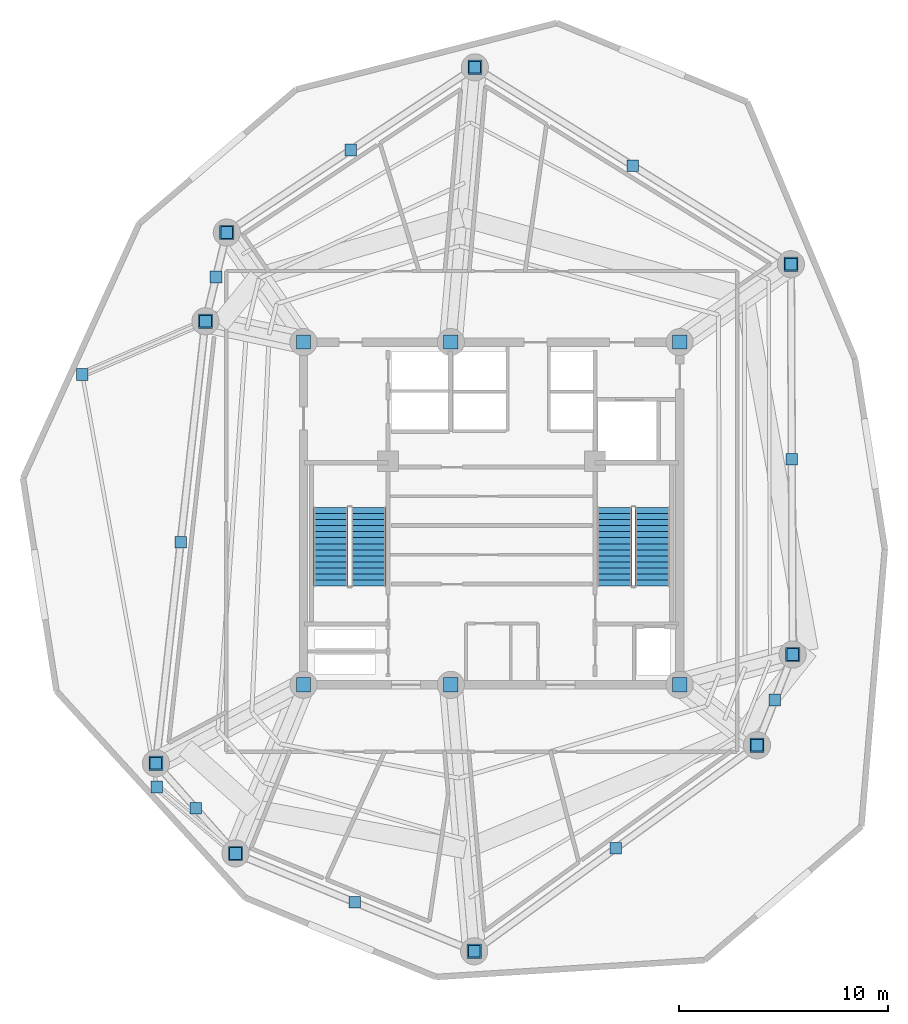
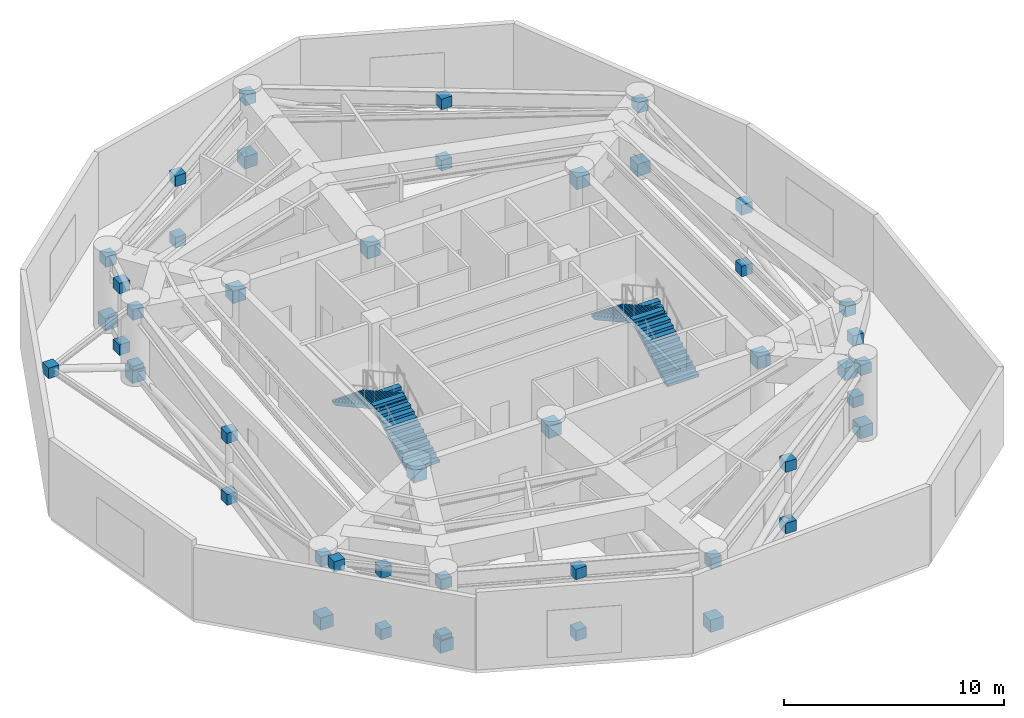
# One storey, part 8 of 11: 46 discrete accessories, 4 stair flights, 2 elements without a shape of their own.
"""IFC4 building model written with IfcOpenShell, lengths in metres."""

from ifc_helpers import new_model, si_unit, direction, frame, origin, origin_with_axes, origin_2d, place, context, subcontext, project, spatial, polyline, rectangle, outline, extrude, source, transform, mapped, material, type_object, element, aggregate, save


model = new_model("IFC4")

# Units and contexts
model_context = context("Model", 3, precision=1e-05, world=origin(), true_north=direction((0.0, 1.0)))
body_context = subcontext(model_context, "Body", "Model", "MODEL_VIEW")
ifc_project = project(units=[si_unit("LENGTHUNIT", "METRE"), si_unit("AREAUNIT", "SQUARE_METRE"), si_unit("VOLUMEUNIT", "CUBIC_METRE"), si_unit("PLANEANGLEUNIT", "RADIAN"), si_unit("MASSUNIT", "GRAM", prefix="KILO")], contexts=[model_context])

# Site, building, storey
site_placement = place(None, origin())
site = spatial("IfcSite", under=ifc_project, at=site_placement, CompositionType="ELEMENT")
building_placement = place(site_placement, origin())
building = spatial("IfcBuilding", under=site, at=building_placement, Name="Karkom Vertical University and Central Library", CompositionType="ELEMENT")
storey_placement = place(building_placement, frame((0.0, 0.0, 208.39990234375)))
storey = spatial("IfcBuildingStorey", under=building, at=storey_placement, Name="P61", CompositionType="ELEMENT", Elevation=208.39990234375)

# Stair, stair flights
ifc_material_1 = material(Name="Concrete C45/55", Category="concrete")
stair_type = type_object("IfcStairType", Name="INT-STR-ST-MAIN", PredefinedType="HALF_TURN_STAIR", material=ifc_material_1)
stair_1_placement = place(storey_placement, origin())
stair_1 = element("IfcStair", 1, at=stair_1_placement, inside=storey, type_object=stair_type, Name="Plant Level 61 Tower Protected Exit Stair ST-1", PredefinedType="HALF_TURN_STAIR")
stair_flight_type = type_object("IfcStairFlightType", Name="INT-SFL-ST-MAIN", PredefinedType="STRAIGHT", material=ifc_material_1)
stair_flight_1_placement = place(storey_placement, frame((22.614990234375, 23.02001953125, 0.0), z_axis=(0.0, 0.0, 1.0), x_axis=(0.0, 1.0, 0.0)))
stair_flight_1 = element("IfcStairFlight", 2, at=stair_flight_1_placement, type_object=stair_flight_type, Name="ST-1 flight 1", NumberOfRisers=14, NumberOfTreads=13, PredefinedType="STRAIGHT", RiserHeight=0.160714286, TreadLength=0.29, context=body_context, shape_type="SweptSolid", body=[
    extrude(outline(polyline([(0.0, 0.0), (0.0, 0.16064453125), (0.2900390625, 0.16064453125), (0.2900390625, 0.321533203125), (0.580078125, 0.321533203125), (0.580078125, 0.482177734375), (0.8701171875, 0.482177734375), (0.8701171875, 0.642822265625), (1.159912109375, 0.642822265625), (1.159912109375, 0.803466796875), (1.449951171875, 0.803466796875), (1.449951171875, 0.96435546875), (1.739990234375, 0.96435546875), (1.739990234375, 1.125), (2.030029296875, 1.125), (2.030029296875, 1.28564453125), (2.320068359375, 1.28564453125), (2.320068359375, 1.446533203125), (2.610107421875, 1.446533203125), (2.610107421875, 1.607177734375), (2.89990234375, 1.607177734375), (2.89990234375, 1.767822265625), (3.18994140625, 1.767822265625), (3.18994140625, 1.928466796875), (3.47998046875, 1.928466796875), (3.47998046875, 2.08935546875), (3.77001953125, 2.08935546875), (3.77001953125, 2.25), (3.77001953125, 1.91796875), (0.309326171875, 0.0), (0.0, 0.0)])), frame((0.0, 0.824951171875, 0.0), z_axis=(0.0, -1.0, 0.0), x_axis=(1.0, 0.0, 0.0)), (0.0, 0.0, 1.0), 1.64990234375),
])
stair_flight_2_placement = place(storey_placement, frame((20.804931640625, 26.7900390625, 2.25), z_axis=(0.0, 0.0, 1.0), x_axis=(0.0, -1.0, 0.0)))
stair_flight_2 = element("IfcStairFlight", 3, at=stair_flight_2_placement, type_object=stair_flight_type, Name="ST-1 flight 2", NumberOfRisers=14, NumberOfTreads=13, PredefinedType="STRAIGHT", RiserHeight=0.160714286, TreadLength=0.29, context=body_context, shape_type="SweptSolid", body=[
    extrude(outline(polyline([(0.0, 0.0), (0.0, 0.16064453125), (0.2900390625, 0.16064453125), (0.2900390625, 0.321533203125), (0.580078125, 0.321533203125), (0.580078125, 0.482177734375), (0.8701171875, 0.482177734375), (0.8701171875, 0.642822265625), (1.159912109375, 0.642822265625), (1.159912109375, 0.803466796875), (1.449951171875, 0.803466796875), (1.449951171875, 0.96435546875), (1.739990234375, 0.96435546875), (1.739990234375, 1.125), (2.030029296875, 1.125), (2.030029296875, 1.28564453125), (2.320068359375, 1.28564453125), (2.320068359375, 1.446533203125), (2.610107421875, 1.446533203125), (2.610107421875, 1.607177734375), (2.89990234375, 1.607177734375), (2.89990234375, 1.767822265625), (3.18994140625, 1.767822265625), (3.18994140625, 1.928466796875), (3.47998046875, 1.928466796875), (3.47998046875, 2.08935546875), (3.77001953125, 2.08935546875), (3.77001953125, 2.25), (3.77001953125, 1.91796875), (0.309326171875, 0.0), (0.0, 0.0)])), frame((0.0, 0.824951171875, 0.0), z_axis=(0.0, -1.0, 0.0), x_axis=(1.0, 0.0, 0.0)), (0.0, 0.0, 1.0), 1.64990234375),
])
aggregate(stair_1, [stair_flight_1, stair_flight_2])

stair_2_placement = place(storey_placement, origin())
stair_2 = element("IfcStair", 4, at=stair_2_placement, inside=storey, type_object=stair_type, Name="Plant Level 61 Tower Protected Exit Stair ST-2", PredefinedType="HALF_TURN_STAIR")
stair_flight_3_placement = place(storey_placement, frame((36.195068359375, 23.02001953125, 0.0), z_axis=(0.0, 0.0, 1.0), x_axis=(0.0, 1.0, 0.0)))
stair_flight_3 = element("IfcStairFlight", 5, at=stair_flight_3_placement, type_object=stair_flight_type, Name="ST-2 flight 1", NumberOfRisers=14, NumberOfTreads=13, PredefinedType="STRAIGHT", RiserHeight=0.160714286, TreadLength=0.29, context=body_context, shape_type="SweptSolid", body=[
    extrude(outline(polyline([(0.0, 0.0), (0.0, 0.16064453125), (0.2900390625, 0.16064453125), (0.2900390625, 0.321533203125), (0.580078125, 0.321533203125), (0.580078125, 0.482177734375), (0.8701171875, 0.482177734375), (0.8701171875, 0.642822265625), (1.159912109375, 0.642822265625), (1.159912109375, 0.803466796875), (1.449951171875, 0.803466796875), (1.449951171875, 0.96435546875), (1.739990234375, 0.96435546875), (1.739990234375, 1.125), (2.030029296875, 1.125), (2.030029296875, 1.28564453125), (2.320068359375, 1.28564453125), (2.320068359375, 1.446533203125), (2.610107421875, 1.446533203125), (2.610107421875, 1.607177734375), (2.89990234375, 1.607177734375), (2.89990234375, 1.767822265625), (3.18994140625, 1.767822265625), (3.18994140625, 1.928466796875), (3.47998046875, 1.928466796875), (3.47998046875, 2.08935546875), (3.77001953125, 2.08935546875), (3.77001953125, 2.25), (3.77001953125, 1.91796875), (0.309326171875, 0.0), (0.0, 0.0)])), frame((0.0, 0.824951171875, 0.0), z_axis=(0.0, -1.0, 0.0), x_axis=(1.0, 0.0, 0.0)), (0.0, 0.0, 1.0), 1.64990234375),
])
stair_flight_4_placement = place(storey_placement, frame((34.385009765625, 26.7900390625, 2.25), z_axis=(0.0, 0.0, 1.0), x_axis=(0.0, -1.0, 0.0)))
stair_flight_4 = element("IfcStairFlight", 6, at=stair_flight_4_placement, type_object=stair_flight_type, Name="ST-2 flight 2", NumberOfRisers=14, NumberOfTreads=13, PredefinedType="STRAIGHT", RiserHeight=0.160714286, TreadLength=0.29, context=body_context, shape_type="SweptSolid", body=[
    extrude(outline(polyline([(0.0, 0.0), (0.0, 0.16064453125), (0.2900390625, 0.16064453125), (0.2900390625, 0.321533203125), (0.580078125, 0.321533203125), (0.580078125, 0.482177734375), (0.8701171875, 0.482177734375), (0.8701171875, 0.642822265625), (1.159912109375, 0.642822265625), (1.159912109375, 0.803466796875), (1.449951171875, 0.803466796875), (1.449951171875, 0.96435546875), (1.739990234375, 0.96435546875), (1.739990234375, 1.125), (2.030029296875, 1.125), (2.030029296875, 1.28564453125), (2.320068359375, 1.28564453125), (2.320068359375, 1.446533203125), (2.610107421875, 1.446533203125), (2.610107421875, 1.607177734375), (2.89990234375, 1.607177734375), (2.89990234375, 1.767822265625), (3.18994140625, 1.767822265625), (3.18994140625, 1.928466796875), (3.47998046875, 1.928466796875), (3.47998046875, 2.08935546875), (3.77001953125, 2.08935546875), (3.77001953125, 2.25), (3.77001953125, 1.91796875), (0.309326171875, 0.0), (0.0, 0.0)])), frame((0.0, 0.824951171875, 0.0), z_axis=(0.0, -1.0, 0.0), x_axis=(1.0, 0.0, 0.0)), (0.0, 0.0, 1.0), 1.64990234375),
])
aggregate(stair_2, [stair_flight_3, stair_flight_4])

# Discrete accessories
ifc_material_2 = material(Name="Ductile cast iron EN-GJS-400-15", Category="metal")
discrete_accessory_type = type_object("IfcDiscreteAccessoryType", Name="STR-ACC-NODECAP", PredefinedType="BRACKET", material=ifc_material_2)
shared_shape_1 = source(origin_with_axes(), body_context, "Body", "SweptSolid", [
    extrude(rectangle(XDim=0.56005859375, YDim=0.56005859375, at=origin_2d()), origin(), (0.0, 0.0, 1.0), 0.580078125),
])
for number, where, z_axis, x_axis, name in (
    (7, (14.804931640625, 35.697998046875, 0.340087890625), (0.0, 0.0, 1.0), (1.0, 0.0, 0.0), "Plant Level 61 Cast Node Connector P61-SKG-KNEE-1 A"),
    (8, (8.9130859375, 33.153564453125, 3.844970703125), (0.0, 0.0, 1.0), (1.0, 0.0, 0.0), "Plant Level 61 Cast Node Connector P61-SKG-KNEE-1 B"),
    (9, (16.240966796875, 10.23388671875, 0.340087890625), (0.0, 0.0, 1.0), (1.0, 0.0, 0.0), "Plant Level 61 Cast Node Connector P61-SKG-KNEE-2 A"),
    (10, (12.47900390625, 13.413818359375, 3.844970703125), (0.0, 0.0, 1.0), (1.0, 0.0, 0.0), "Plant Level 61 Cast Node Connector P61-SKG-KNEE-2 B"),
    (11, (42.823974609375, 38.427978515625, 3.4599609375), (0.0, 0.0, 1.0), (1.0, 0.0, 0.0), "Plant Level 61 Cast Node Connector P61-BELT-BRACE-01 B"),
    (12, (42.866455078125, 29.08837890625, 0.06005859375), (0.0, 0.0, 1.0), (1.0, 0.0, 0.0), "Plant Level 61 Cast Node Connector P61-BELT-POST-01 A"),
    (13, (42.866455078125, 29.08837890625, 3.4599609375), (0.0, 0.0, 1.0), (1.0, 0.0, 0.0), "Plant Level 61 Cast Node Connector P61-BELT-POST-01 B"),
    (14, (27.699951171875, 47.85009765625, 3.4599609375), (0.0, 0.0, 1.0), (1.0, 0.0, 0.0), "Plant Level 61 Cast Node Connector P61-BELT-BRACE-02 B"),
    (15, (35.261962890625, 43.138916015625, 0.06005859375), (0.0, 0.0, 1.0), (1.0, 0.0, 0.0), "Plant Level 61 Cast Node Connector P61-BELT-POST-02 A"),
    (16, (35.261962890625, 43.138916015625, 3.4599609375), (0.0, 0.0, 1.0), (1.0, 0.0, 0.0), "Plant Level 61 Cast Node Connector P61-BELT-POST-02 B"),
    (17, (15.8291015625, 39.943115234375, 3.4599609375), (0.0, 0.0, 1.0), (1.0, 0.0, 0.0), "Plant Level 61 Cast Node Connector P61-BELT-BRACE-03 B"),
    (18, (21.764404296875, 43.896484375, 0.06005859375), (0.0, 0.0, 1.0), (1.0, 0.0, 0.0), "Plant Level 61 Cast Node Connector P61-BELT-POST-03 A"),
    (19, (21.764404296875, 43.896484375, 3.4599609375), (0.0, 0.0, 1.0), (1.0, 0.0, 0.0), "Plant Level 61 Cast Node Connector P61-BELT-POST-03 B"),
    (20, (14.804931640625, 35.697998046875, 3.4599609375), (0.0, 0.0, 1.0), (1.0, 0.0, 0.0), "Plant Level 61 Cast Node Connector P61-BELT-BRACE-04 B"),
    (21, (15.31689453125, 37.820556640625, 0.06005859375), (0.0, 0.0, 1.0), (1.0, 0.0, 0.0), "Plant Level 61 Cast Node Connector P61-BELT-POST-04 A"),
    (22, (15.31689453125, 37.820556640625, 3.4599609375), (0.0, 0.0, 1.0), (1.0, 0.0, 0.0), "Plant Level 61 Cast Node Connector P61-BELT-POST-04 B"),
    (23, (12.43603515625, 14.5439453125, 3.4599609375), (0.0, 0.0, 1.0), (1.0, 0.0, 0.0), "Plant Level 61 Cast Node Connector P61-BELT-BRACE-05 B"),
    (24, (13.62060546875, 25.12109375, 0.06005859375), (0.0, 0.0, 1.0), (1.0, 0.0, 0.0), "Plant Level 61 Cast Node Connector P61-BELT-POST-05 A"),
    (25, (13.62060546875, 25.12109375, 3.4599609375), (0.0, 0.0, 1.0), (1.0, 0.0, 0.0), "Plant Level 61 Cast Node Connector P61-BELT-POST-05 B"),
    (26, (16.240966796875, 10.23388671875, 3.4599609375), (0.0, 0.0, 1.0), (1.0, 0.0, 0.0), "Plant Level 61 Cast Node Connector P61-BELT-BRACE-06 B"),
    (27, (14.33837890625, 12.388916015625, 0.06005859375), (0.0, 0.0, 1.0), (1.0, 0.0, 0.0), "Plant Level 61 Cast Node Connector P61-BELT-POST-06 A"),
    (28, (14.33837890625, 12.388916015625, 3.4599609375), (0.0, 0.0, 1.0), (1.0, 0.0, 0.0), "Plant Level 61 Cast Node Connector P61-BELT-POST-06 B"),
    (29, (27.666015625, 5.549072265625, 3.4599609375), (0.0, 0.0, 1.0), (1.0, 0.0, 0.0), "Plant Level 61 Cast Node Connector P61-BELT-BRACE-07 B"),
    (30, (21.95361328125, 7.8916015625, 0.06005859375), (0.0, 0.0, 1.0), (1.0, 0.0, 0.0), "Plant Level 61 Cast Node Connector P61-BELT-POST-07 A"),
    (31, (21.95361328125, 7.8916015625, 3.4599609375), (0.0, 0.0, 1.0), (1.0, 0.0, 0.0), "Plant Level 61 Cast Node Connector P61-BELT-POST-07 B"),
    (32, (41.2041015625, 15.406005859375, 3.4599609375), (0.0, 0.0, 1.0), (1.0, 0.0, 0.0), "Plant Level 61 Cast Node Connector P61-BELT-BRACE-08 B"),
    (33, (34.43505859375, 10.4775390625, 0.06005859375), (0.0, 0.0, 1.0), (1.0, 0.0, 0.0), "Plant Level 61 Cast Node Connector P61-BELT-POST-08 A"),
    (34, (34.43505859375, 10.4775390625, 3.4599609375), (0.0, 0.0, 1.0), (1.0, 0.0, 0.0), "Plant Level 61 Cast Node Connector P61-BELT-POST-08 B"),
    (35, (42.908935546875, 19.7490234375, 3.4599609375), (0.0, 0.0, 1.0), (1.0, 0.0, 0.0), "Plant Level 61 Cast Node Connector P61-BELT-BRACE-09 B"),
    (36, (42.056396484375, 17.577392578125, 0.06005859375), (0.0, 0.0, 1.0), (1.0, 0.0, 0.0), "Plant Level 61 Cast Node Connector P61-BELT-POST-09 A"),
    (37, (42.056396484375, 17.577392578125, 3.4599609375), (0.0, 0.0, 1.0), (1.0, 0.0, 0.0), "Plant Level 61 Cast Node Connector P61-BELT-POST-09 B"),
):
    element("IfcDiscreteAccessory", number, at=place(storey_placement, frame(where, z_axis=z_axis, x_axis=x_axis)), inside=storey, type_object=discrete_accessory_type, Name=name, PredefinedType="BRACKET", context=body_context, shape_type="MappedRepresentation", body=[
        mapped(shared_shape_1, transform((0.0, 0.0, 0.0), scale=1.0)),
    ])
shared_shape_2 = source(origin_with_axes(), body_context, "Body", "SweptSolid", [
    extrude(rectangle(XDim=0.679931640625, YDim=0.679931640625, at=origin_2d()), origin(), (0.0, 0.0, 1.0), 0.679931640625),
])
for number, where, z_axis, x_axis, name in (
    (38, (42.908935546875, 19.7490234375, 0.01025390625), (0.0, 0.0, 1.0), (1.0, 0.0, 0.0), "Plant Level 61 Cast Node Connector P61-BELT-BRACE-01 A"),
    (39, (42.823974609375, 38.427978515625, 0.01025390625), (0.0, 0.0, 1.0), (1.0, 0.0, 0.0), "Plant Level 61 Cast Node Connector P61-BELT-CHORD-01 B"),
    (40, (27.699951171875, 47.85009765625, 0.01025390625), (0.0, 0.0, 1.0), (1.0, 0.0, 0.0), "Plant Level 61 Cast Node Connector P61-BELT-CHORD-02 B"),
    (41, (15.8291015625, 39.943115234375, 0.01025390625), (0.0, 0.0, 1.0), (1.0, 0.0, 0.0), "Plant Level 61 Cast Node Connector P61-BELT-CHORD-03 B"),
    (42, (14.804931640625, 35.697998046875, 0.01025390625), (0.0, 0.0, 1.0), (1.0, 0.0, 0.0), "Plant Level 61 Cast Node Connector P61-BELT-CHORD-04 B"),
    (43, (12.43603515625, 14.5439453125, 0.01025390625), (0.0, 0.0, 1.0), (1.0, 0.0, 0.0), "Plant Level 61 Cast Node Connector P61-BELT-CHORD-05 B"),
    (44, (16.240966796875, 10.23388671875, 0.01025390625), (0.0, 0.0, 1.0), (1.0, 0.0, 0.0), "Plant Level 61 Cast Node Connector P61-BELT-CHORD-06 B"),
    (45, (27.666015625, 5.549072265625, 0.01025390625), (0.0, 0.0, 1.0), (1.0, 0.0, 0.0), "Plant Level 61 Cast Node Connector P61-BELT-CHORD-07 B"),
    (46, (41.2041015625, 15.406005859375, 0.01025390625), (0.0, 0.0, 1.0), (1.0, 0.0, 0.0), "Plant Level 61 Cast Node Connector P61-BELT-CHORD-08 B"),
    (47, (37.5, 18.300048828125, 3.41015625), (0.0, 0.0, 1.0), (1.0, 0.0, 0.0), "Plant Level 61 Cast Node Connector P61-OUTRIGGER-BRACE-01 A"),
    (48, (37.5, 34.699951171875, 3.41015625), (0.0, 0.0, 1.0), (1.0, 0.0, 0.0), "Plant Level 61 Cast Node Connector P61-OUTRIGGER-BRACE-02 A"),
    (49, (26.550048828125, 34.699951171875, 3.41015625), (0.0, 0.0, 1.0), (1.0, 0.0, 0.0), "Plant Level 61 Cast Node Connector P61-OUTRIGGER-BRACE-03 A"),
    (50, (19.5, 34.699951171875, 3.41015625), (0.0, 0.0, 1.0), (1.0, 0.0, 0.0), "Plant Level 61 Cast Node Connector P61-OUTRIGGER-BRACE-04 A"),
    (51, (19.5, 18.300048828125, 3.41015625), (0.0, 0.0, 1.0), (1.0, 0.0, 0.0), "Plant Level 61 Cast Node Connector P61-OUTRIGGER-BRACE-06 A"),
    (52, (26.550048828125, 18.300048828125, 3.41015625), (0.0, 0.0, 1.0), (1.0, 0.0, 0.0), "Plant Level 61 Cast Node Connector P61-OUTRIGGER-BRACE-08 A"),
):
    element("IfcDiscreteAccessory", number, at=place(storey_placement, frame(where, z_axis=z_axis, x_axis=x_axis)), inside=storey, type_object=discrete_accessory_type, Name=name, PredefinedType="BRACKET", context=body_context, shape_type="MappedRepresentation", body=[
        mapped(shared_shape_2, transform((0.0, 0.0, 0.0), scale=1.0)),
    ])

save(model, "model.ifc")
